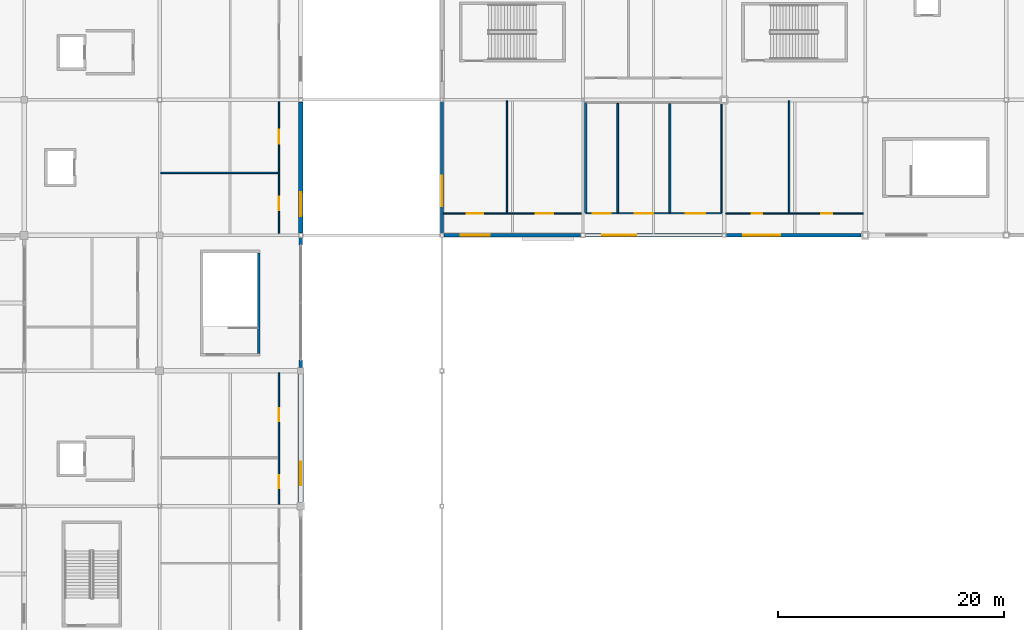
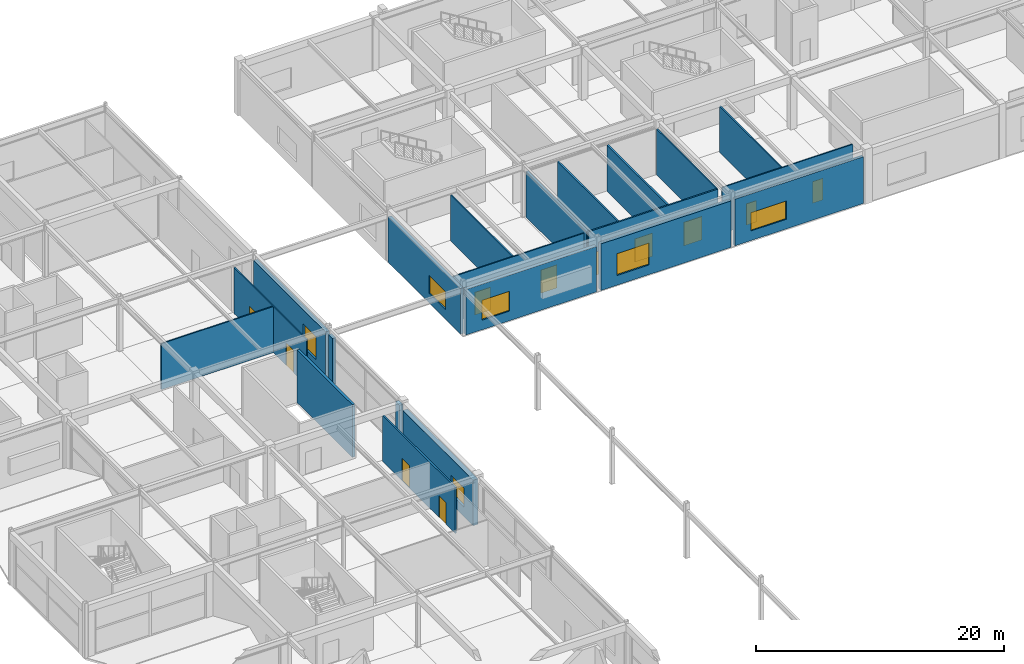
# One storey, part 76 of 105: 21 walls, 11 doors, 6 windows, 17 openings.
"""IFC4 building model written with IfcOpenShell, lengths in metres."""

from ifc_helpers import new_model, si_unit, direction, frame, frame_2d, origin, place, context, subcontext, project, spatial, rectangle, extrude, material, layer, layer_set, type_object, element, fill, save


model = new_model("IFC4")

# Units and contexts
model_context = context("Model", 3, precision=1e-05, world=origin(), true_north=direction((0.0, 1.0)))
body_context = subcontext(model_context, "Body", "Model", "MODEL_VIEW")
ifc_project = project(units=[si_unit("LENGTHUNIT", "METRE"), si_unit("AREAUNIT", "SQUARE_METRE"), si_unit("VOLUMEUNIT", "CUBIC_METRE"), si_unit("PLANEANGLEUNIT", "RADIAN"), si_unit("MASSUNIT", "GRAM", prefix="KILO")], contexts=[model_context])

# Site, building, storey
site_placement = place(None, origin())
site = spatial("IfcSite", under=ifc_project, at=site_placement, CompositionType="ELEMENT")
building_placement = place(site_placement, origin())
building = spatial("IfcBuilding", under=site, at=building_placement, Name="Kazenohara Klinker Stadium", CompositionType="ELEMENT")
storey_placement = place(building_placement, frame((0.0, 0.0, 20.39990234375)))
storey = spatial("IfcBuildingStorey", under=building, at=storey_placement, Name="L04", CompositionType="ELEMENT", Elevation=20.39990234375)

# Wall
ifc_material_1 = material(Name="Concrete C40/50", Category="concrete")
ifc_layer_1 = layer(ifc_material_1, 0.22998046875)
ifc_layer_set_1 = layer_set([ifc_layer_1], Name="Concrete C40/50")
wall_type_1 = type_object("IfcWallType", Name="WAL-CORE-230", PredefinedType="SHEAR", material=ifc_layer_set_1)
wall_1_placement = place(storey_placement, frame((32.764892578125, 121.550048828125, 0.0), z_axis=(0.0, 0.0, 1.0), x_axis=(0.0, 1.0, 0.0)))
element("IfcWall", 1, at=wall_1_placement, inside=storey, type_object=wall_type_1, Name="Stairwell shear wall ST18 L04 East", PredefinedType="SHEAR", context=body_context, shape_type="SweptSolid", body=[
    extrude(rectangle(XDim=8.89990234375, YDim=0.22998046875, at=frame_2d((4.449951171875, 0.0))), origin(), (0.0, 0.0, 1.0), 5.18017578125),
])

# Wall, opening, window
ifc_material_2 = material(Name="Clinker brick masonry", Category="masonry")
ifc_layer_2 = layer(ifc_material_2, 0.280029296875)
ifc_layer_set_2 = layer_set([ifc_layer_2], Name="Clinker brick masonry")
wall_type_2 = type_object("IfcWallType", Name="WAL-EXT-CB280", PredefinedType="SOLIDWALL", material=ifc_layer_set_2)
wall_2_placement = place(storey_placement, frame((49.0, 132.178955078125, 0.0), z_axis=(0.0, 0.0, 1.0), x_axis=(0.0, 1.0, 0.0)))
wall_2 = element("IfcWall", 2, at=wall_2_placement, inside=storey, type_object=wall_type_2, Name="Clinker brick cavity wall EW06 L04 Y4-11", PredefinedType="SOLIDWALL", context=body_context, shape_type="SweptSolid", body=[
    extrude(rectangle(XDim=11.6669921875, YDim=0.280029296875, at=frame_2d((5.83349609375, 0.0))), origin(), (0.0, 0.0, 1.0), 4.47998046875),
])
opening_1_placement = place(wall_2_placement, frame((2.39111328125, 0.0, 0.949951171875)))
opening_1 = element("IfcOpeningElement", 3, at=opening_1_placement, cuts=wall_2, Name="Opening W27", PredefinedType="OPENING", context=body_context, shape_type="SweptSolid", body=[
    extrude(rectangle(XDim=2.699951171875, YDim=1.75, at=frame_2d((1.35009765625, 0.875))), frame((0.0, 0.14990234375, 0.0), z_axis=(0.0, -1.0, 0.0), x_axis=(1.0, 0.0, 0.0)), (0.0, 0.0, 1.0), 0.300048828125),
])
ifc_material_3 = material(Name="Dark bronze aluminium frame and triple glazing", Category="aluminium")
window_type_1 = type_object("IfcWindowType", Name="WIN-AS-27", PartitioningType="SINGLE_PANEL", PredefinedType="WINDOW", material=ifc_material_3)
window_1_placement = place(opening_1_placement, origin())
window_1 = element("IfcWindow", 4, at=window_1_placement, inside=storey, type_object=window_type_1, Name="Horizontal-mullion ladder window W27 L04 Y4-11", OverallHeight=1.75, OverallWidth=2.699951171875, PartitioningType="SINGLE_PANEL", PredefinedType="WINDOW", context=body_context, shape_type="SweptSolid", body=[
    extrude(rectangle(XDim=2.699951171875, YDim=1.75, at=frame_2d((1.35009765625, 0.875))), frame((0.0, 0.030029296875, 0.0), z_axis=(0.0, -1.0, 0.0), x_axis=(1.0, 0.0, 0.0)), (0.0, 0.0, 1.0), 0.06005859375),
])
fill(opening_1, window_1)

wall_3_placement = place(storey_placement, frame((74.178955078125, 132.0, 0.0), z_axis=(0.0, 0.0, 1.0), x_axis=(1.0, 0.0, 0.0)))
wall_3 = element("IfcWall", 5, at=wall_3_placement, inside=storey, type_object=wall_type_2, Name="Clinker brick cavity wall EW06 L04 X6-11", PredefinedType="SOLIDWALL", context=body_context, shape_type="SweptSolid", body=[
    extrude(rectangle(XDim=11.967041015625, YDim=0.280029296875, at=frame_2d((5.9833984375, 0.0))), origin(), (0.0, 0.0, 1.0), 4.592041015625),
])
opening_2_placement = place(wall_3_placement, frame((1.5, 0.0, 0.949951171875)))
opening_2 = element("IfcOpeningElement", 6, at=opening_2_placement, cuts=wall_3, Name="Opening W33", PredefinedType="OPENING", context=body_context, shape_type="SweptSolid", body=[
    extrude(rectangle(XDim=3.300048828125, YDim=1.800048828125, at=frame_2d((1.64990234375, 0.89990234375))), frame((0.0, 0.14990234375, 0.0), z_axis=(0.0, -1.0, 0.0), x_axis=(1.0, 0.0, 0.0)), (0.0, 0.0, 1.0), 0.300048828125),
])
window_type_2 = type_object("IfcWindowType", Name="WIN-AS-33", PartitioningType="SINGLE_PANEL", PredefinedType="WINDOW", material=ifc_material_3)
window_2_placement = place(opening_2_placement, origin())
window_2 = element("IfcWindow", 7, at=window_2_placement, inside=storey, type_object=window_type_2, Name="Horizontal-mullion ladder window W33 L04 X6-11", OverallHeight=1.800048828125, OverallWidth=3.300048828125, PartitioningType="SINGLE_PANEL", PredefinedType="WINDOW", context=body_context, shape_type="SweptSolid", body=[
    extrude(rectangle(XDim=3.300048828125, YDim=1.800048828125, at=frame_2d((1.64990234375, 0.89990234375))), frame((0.0, 0.030029296875, 0.0), z_axis=(0.0, -1.0, 0.0), x_axis=(1.0, 0.0, 0.0)), (0.0, 0.0, 1.0), 0.06005859375),
])
fill(opening_2, window_2)

# Walls
ifc_layer_3 = layer(ifc_material_2, 0.31005859375)
ifc_layer_set_3 = layer_set([ifc_layer_3], Name="Clinker brick masonry")
wall_type_3 = type_object("IfcWallType", Name="WAL-EXT-CB310", PredefinedType="SOLIDWALL", material=ifc_layer_set_3)
wall_4_placement = place(storey_placement, frame((36.5, 120.303955078125, 0.0), z_axis=(0.0, 0.0, 1.0), x_axis=(0.0, 1.0, 0.0)))
element("IfcWall", 8, at=wall_4_placement, inside=storey, type_object=wall_type_3, Name="Clinker brick curtain-wall jamb pier L04 Y3-10 A", PredefinedType="SOLIDWALL", context=body_context, shape_type="SweptSolid", body=[
    extrude(rectangle(XDim=0.650146484375, YDim=0.31005859375, at=frame_2d((0.3251953125, 0.0))), origin(), (0.0, 0.0, 1.0), 4.580078125),
])
wall_5_placement = place(storey_placement, frame((36.5, 131.14599609375, 0.0), z_axis=(0.0, 0.0, 1.0), x_axis=(0.0, 1.0, 0.0)))
element("IfcWall", 9, at=wall_5_placement, inside=storey, type_object=wall_type_3, Name="Clinker brick curtain-wall jamb pier L04 Y3-10 B", PredefinedType="SOLIDWALL", context=body_context, shape_type="SweptSolid", body=[
    extrude(rectangle(XDim=0.64990234375, YDim=0.31005859375, at=frame_2d((0.324951171875, 0.0))), origin(), (0.0, 0.0, 1.0), 4.580078125),
])

# Wall, opening, window
wall_6_placement = place(storey_placement, frame((49.178955078125, 132.0, 0.0), z_axis=(0.0, 0.0, 1.0), x_axis=(1.0, 0.0, 0.0)))
wall_6 = element("IfcWall", 10, at=wall_6_placement, inside=storey, type_object=wall_type_3, Name="Clinker brick cavity wall EW05 L04 X4-11", PredefinedType="SOLIDWALL", context=body_context, shape_type="SweptSolid", body=[
    extrude(rectangle(XDim=12.116943359375, YDim=0.31005859375, at=frame_2d((6.05859375, 0.0))), origin(), (0.0, 0.0, 1.0), 4.47998046875),
])
opening_3_placement = place(wall_6_placement, frame((1.5, 0.0, 0.949951171875)))
opening_3 = element("IfcOpeningElement", 11, at=opening_3_placement, cuts=wall_6, Name="Opening W26", PredefinedType="OPENING", context=body_context, shape_type="SweptSolid", body=[
    extrude(rectangle(XDim=2.550048828125, YDim=1.949951171875, at=frame_2d((1.27490234375, 0.97509765625))), frame((0.0, 0.1650390625, 0.0), z_axis=(0.0, -1.0, 0.0), x_axis=(1.0, 0.0, 0.0)), (0.0, 0.0, 1.0), 0.330078125),
])
window_type_3 = type_object("IfcWindowType", Name="WIN-AS-26", PartitioningType="SINGLE_PANEL", PredefinedType="WINDOW", material=ifc_material_3)
window_3_placement = place(opening_3_placement, origin())
window_3 = element("IfcWindow", 12, at=window_3_placement, inside=storey, type_object=window_type_3, Name="Horizontal-mullion ladder window W26 L04 X4-11", OverallHeight=1.949951171875, OverallWidth=2.550048828125, PartitioningType="SINGLE_PANEL", PredefinedType="WINDOW", context=body_context, shape_type="SweptSolid", body=[
    extrude(rectangle(XDim=2.550048828125, YDim=1.949951171875, at=frame_2d((1.27490234375, 0.97509765625))), frame((0.0, 0.030029296875, 0.0), z_axis=(0.0, -1.0, 0.0), x_axis=(1.0, 0.0, 0.0)), (0.0, 0.0, 1.0), 0.06005859375),
])
fill(opening_3, window_3)

ifc_layer_4 = layer(ifc_material_2, 0.340087890625)
ifc_layer_set_4 = layer_set([ifc_layer_4], Name="Clinker brick masonry")
wall_type_4 = type_object("IfcWallType", Name="WAL-EXT-CB340", PredefinedType="SOLIDWALL", material=ifc_layer_set_4)
wall_7_placement = place(storey_placement, frame((61.7041015625, 132.0, 0.0), z_axis=(0.0, 0.0, 1.0), x_axis=(1.0, 0.0, 0.0)))
wall_7 = element("IfcWall", 13, at=wall_7_placement, inside=storey, type_object=wall_type_4, Name="Clinker brick cavity wall EW04 L04 X5-11", PredefinedType="SOLIDWALL", context=body_context, shape_type="SweptSolid", body=[
    extrude(rectangle(XDim=12.116943359375, YDim=0.340087890625, at=frame_2d((6.05859375, 0.0))), origin(), (0.0, 0.0, 1.0), 4.580078125),
])
opening_4_placement = place(wall_7_placement, frame((1.5, 0.0, 0.949951171875)))
opening_4 = element("IfcOpeningElement", 14, at=opening_4_placement, cuts=wall_7, Name="Opening W31", PredefinedType="OPENING", context=body_context, shape_type="SweptSolid", body=[
    extrude(rectangle(XDim=3.0, YDim=2.14990234375, at=frame_2d((1.5, 1.074951171875))), frame((0.0, 0.18017578125, 0.0), z_axis=(0.0, -1.0, 0.0), x_axis=(1.0, 0.0, 0.0)), (0.0, 0.0, 1.0), 0.360107421875),
])
window_type_4 = type_object("IfcWindowType", Name="WIN-AS-31", PartitioningType="SINGLE_PANEL", PredefinedType="WINDOW", material=ifc_material_3)
window_4_placement = place(opening_4_placement, origin())
window_4 = element("IfcWindow", 15, at=window_4_placement, inside=storey, type_object=window_type_4, Name="Horizontal-mullion ladder window W31 L04 X5-11", OverallHeight=2.14990234375, OverallWidth=3.0, PartitioningType="SINGLE_PANEL", PredefinedType="WINDOW", context=body_context, shape_type="SweptSolid", body=[
    extrude(rectangle(XDim=3.0, YDim=2.14990234375, at=frame_2d((1.5, 1.074951171875))), frame((0.0, 0.030029296875, 0.0), z_axis=(0.0, -1.0, 0.0), x_axis=(1.0, 0.0, 0.0)), (0.0, 0.0, 1.0), 0.06005859375),
])
fill(opening_4, window_4)

ifc_layer_5 = layer(ifc_material_2, 0.3701171875)
ifc_layer_set_5 = layer_set([ifc_layer_5], Name="Clinker brick masonry")
wall_type_5 = type_object("IfcWallType", Name="WAL-EXT-CB370", PredefinedType="SOLIDWALL", material=ifc_layer_set_5)
wall_8_placement = place(storey_placement, frame((36.5, 132.2041015625, 0.0), z_axis=(0.0, 0.0, 1.0), x_axis=(0.0, 1.0, 0.0)))
wall_8 = element("IfcWall", 16, at=wall_8_placement, inside=storey, type_object=wall_type_5, Name="Clinker brick cavity wall EW03 L04 Y3-11", PredefinedType="SOLIDWALL", context=body_context, shape_type="SweptSolid", body=[
    extrude(rectangle(XDim=11.616943359375, YDim=0.3701171875, at=frame_2d((5.80859375, 0.0))), origin(), (0.0, 0.0, 1.0), 4.592041015625),
])
opening_5_placement = place(wall_8_placement, frame((1.5, 0.0, 0.949951171875)))
opening_5 = element("IfcOpeningElement", 17, at=opening_5_placement, cuts=wall_8, Name="Opening W19", PredefinedType="OPENING", context=body_context, shape_type="SweptSolid", body=[
    extrude(rectangle(XDim=2.10009765625, YDim=2.25, at=frame_2d((1.050048828125, 1.125))), frame((0.0, 0.195068359375, 0.0), z_axis=(0.0, -1.0, 0.0), x_axis=(1.0, 0.0, 0.0)), (0.0, 0.0, 1.0), 0.39013671875),
])
window_type_5 = type_object("IfcWindowType", Name="WIN-AS-19", PartitioningType="SINGLE_PANEL", PredefinedType="WINDOW", material=ifc_material_3)
window_5_placement = place(opening_5_placement, origin())
window_5 = element("IfcWindow", 18, at=window_5_placement, inside=storey, type_object=window_type_5, Name="Horizontal-mullion ladder window W19 L04 Y3-11", OverallHeight=2.25, OverallWidth=2.10009765625, PartitioningType="SINGLE_PANEL", PredefinedType="WINDOW", context=body_context, shape_type="SweptSolid", body=[
    extrude(rectangle(XDim=2.10009765625, YDim=2.25, at=frame_2d((1.050048828125, 1.125))), frame((0.0, 0.030029296875, 0.0), z_axis=(0.0, -1.0, 0.0), x_axis=(1.0, 0.0, 0.0)), (0.0, 0.0, 1.0), 0.06005859375),
])
fill(opening_5, window_5)

ifc_layer_6 = layer(ifc_material_2, 0.449951171875)
ifc_layer_set_6 = layer_set([ifc_layer_6], Name="Clinker brick masonry")
wall_type_6 = type_object("IfcWallType", Name="WAL-EXT-CB450", PredefinedType="SOLIDWALL", material=ifc_layer_set_6)
wall_9_placement = place(storey_placement, frame((36.5, 108.35400390625, 0.0), z_axis=(0.0, 0.0, 1.0), x_axis=(0.0, 1.0, 0.0)))
wall_9 = element("IfcWall", 19, at=wall_9_placement, inside=storey, type_object=wall_type_6, Name="Clinker brick cavity wall EW01 L04 Y3-9", PredefinedType="SOLIDWALL", context=body_context, shape_type="SweptSolid", body=[
    extrude(rectangle(XDim=11.342041015625, YDim=0.449951171875, at=frame_2d((5.6708984375, 0.0))), origin(), (0.0, 0.0, 1.0), 4.47998046875),
])
opening_6_placement = place(wall_9_placement, frame((1.5, 0.0, 0.949951171875)))
opening_6 = element("IfcOpeningElement", 20, at=opening_6_placement, cuts=wall_9, Name="Opening W18", PredefinedType="OPENING", context=body_context, shape_type="SweptSolid", body=[
    extrude(rectangle(XDim=2.10009765625, YDim=1.85009765625, at=frame_2d((1.050048828125, 0.925048828125))), frame((0.0, 0.23486328125, 0.0), z_axis=(0.0, -1.0, 0.0), x_axis=(1.0, 0.0, 0.0)), (0.0, 0.0, 1.0), 0.469970703125),
])
window_type_6 = type_object("IfcWindowType", Name="WIN-AS-18", PartitioningType="SINGLE_PANEL", PredefinedType="WINDOW", material=ifc_material_3)
window_6_placement = place(opening_6_placement, origin())
window_6 = element("IfcWindow", 21, at=window_6_placement, inside=storey, type_object=window_type_6, Name="Horizontal-mullion ladder window W18 L04 Y3-9", OverallHeight=1.85009765625, OverallWidth=2.10009765625, PartitioningType="SINGLE_PANEL", PredefinedType="WINDOW", context=body_context, shape_type="SweptSolid", body=[
    extrude(rectangle(XDim=2.10009765625, YDim=1.85009765625, at=frame_2d((1.050048828125, 0.925048828125))), frame((0.0, 0.030029296875, 0.0), z_axis=(0.0, -1.0, 0.0), x_axis=(1.0, 0.0, 0.0)), (0.0, 0.0, 1.0), 0.06005859375),
])
fill(opening_6, window_6)

# Wall, openings, doors
ifc_material_4 = material(Name="Fire-rated gypsum board on acoustic studs", Category="gypsum")
ifc_layer_7 = layer(ifc_material_4, 0.110107421875)
ifc_layer_set_7 = layer_set([ifc_layer_7], Name="Fire-rated gypsum board on acoustic studs")
wall_type_7 = type_object("IfcWallType", Name="WAL-INT-P110", PredefinedType="PARTITIONING", material=ifc_layer_set_7)
wall_10_placement = place(storey_placement, frame((34.56005859375, 132.159912109375, 0.0), z_axis=(0.0, 0.0, 1.0), x_axis=(0.0, 1.0, 0.0)))
wall_10 = element("IfcWall", 22, at=wall_10_placement, inside=storey, type_object=wall_type_7, Name="Interior partition wall PT01 SPC-L04-02-11-1-1", PredefinedType="PARTITIONING", context=body_context, shape_type="SweptSolid", body=[
    extrude(rectangle(XDim=11.68017578125, YDim=0.110107421875, at=frame_2d((5.840087890625, 0.0))), origin(), (0.0, 0.0, 1.0), 4.52001953125),
])
opening_7_placement = place(wall_10_placement, frame((2.04150390625, 0.0, 0.0)))
opening_7 = element("IfcOpeningElement", 23, at=opening_7_placement, cuts=wall_10, Name="Opening ID12", PredefinedType="OPENING", context=body_context, shape_type="SweptSolid", body=[
    extrude(rectangle(XDim=1.2099609375, YDim=2.179931640625, at=frame_2d((0.60498046875, 1.08984375))), frame((0.0, 0.06494140625, 0.0), z_axis=(0.0, -1.0, 0.0), x_axis=(1.0, 0.0, 0.0)), (0.0, 0.0, 1.0), 0.130126953125),
])
opening_8_placement = place(wall_10_placement, frame((7.9462890625, 0.0, 0.0)))
opening_8 = element("IfcOpeningElement", 24, at=opening_8_placement, cuts=wall_10, Name="Opening ID13", PredefinedType="OPENING", context=body_context, shape_type="SweptSolid", body=[
    extrude(rectangle(XDim=1.239990234375, YDim=2.219970703125, at=frame_2d((0.6201171875, 1.10986328125))), frame((0.0, 0.06494140625, 0.0), z_axis=(0.0, -1.0, 0.0), x_axis=(1.0, 0.0, 0.0)), (0.0, 0.0, 1.0), 0.130126953125),
])
ifc_material_5 = material(Name="Solid-core Hokkaido oak fire door", Category="wood")
door_type_1 = type_object("IfcDoorType", Name="DR-INT-12", OperationType="NOTDEFINED", PredefinedType="DOOR", material=ifc_material_5)
door_1_placement = place(opening_7_placement, origin())
door_1 = element("IfcDoor", 25, at=door_1_placement, inside=storey, type_object=door_type_1, Name="Interior door ID12 Championship Trophy Exhibition Gallery L04-0211A", OperationType="SINGLE_SWING_LEFT", OverallHeight=2.179931640625, OverallWidth=1.2099609375, PredefinedType="DOOR", context=body_context, shape_type="SweptSolid", body=[
    extrude(rectangle(XDim=1.2099609375, YDim=2.179931640625, at=frame_2d((0.60498046875, 1.08984375))), frame((0.0, 0.02490234375, 0.0), z_axis=(0.0, -1.0, 0.0), x_axis=(1.0, 0.0, 0.0)), (0.0, 0.0, 1.0), 0.050048828125),
])
fill(opening_7, door_1)
door_type_2 = type_object("IfcDoorType", Name="DR-INT-13", OperationType="NOTDEFINED", PredefinedType="DOOR", material=ifc_material_5)
door_2_placement = place(opening_8_placement, origin())
door_2 = element("IfcDoor", 26, at=door_2_placement, inside=storey, type_object=door_type_2, Name="Interior door ID13 Terrace Garden Sky Banquet Hall L04-0211B", OperationType="SINGLE_SWING_RIGHT", OverallHeight=2.219970703125, OverallWidth=1.239990234375, PredefinedType="DOOR", context=body_context, shape_type="SweptSolid", body=[
    extrude(rectangle(XDim=1.239990234375, YDim=2.219970703125, at=frame_2d((0.6201171875, 1.10986328125))), frame((0.0, 0.02490234375, 0.0), z_axis=(0.0, -1.0, 0.0), x_axis=(1.0, 0.0, 0.0)), (0.0, 0.0, 1.0), 0.050048828125),
])
fill(opening_8, door_2)

wall_11_placement = place(storey_placement, frame((49.14208984375, 133.93994140625, 0.0), z_axis=(0.0, 0.0, 1.0), x_axis=(1.0, 0.0, 0.0)))
wall_11 = element("IfcWall", 27, at=wall_11_placement, inside=storey, type_object=wall_type_7, Name="Interior partition wall PT01 SPC-L04-04-11-1-1", PredefinedType="PARTITIONING", context=body_context, shape_type="SweptSolid", body=[
    extrude(rectangle(XDim=12.197998046875, YDim=0.110107421875, at=frame_2d((6.09912109375, 0.0))), origin(), (0.0, 0.0, 1.0), 4.52001953125),
])
opening_9_placement = place(wall_11_placement, frame((2.039306640625, 0.0, 0.0)))
opening_9 = element("IfcOpeningElement", 28, at=opening_9_placement, cuts=wall_11, Name="Opening ID20", PredefinedType="OPENING", context=body_context, shape_type="SweptSolid", body=[
    extrude(rectangle(XDim=1.47998046875, YDim=2.239990234375, at=frame_2d((0.739990234375, 1.1201171875))), frame((0.0, 0.06494140625, 0.0), z_axis=(0.0, -1.0, 0.0), x_axis=(1.0, 0.0, 0.0)), (0.0, 0.0, 1.0), 0.130126953125),
])
opening_10_placement = place(wall_11_placement, frame((8.189453125, 0.0, 0.0)))
opening_10 = element("IfcOpeningElement", 29, at=opening_10_placement, cuts=wall_11, Name="Opening ID21", PredefinedType="OPENING", context=body_context, shape_type="SweptSolid", body=[
    extrude(rectangle(XDim=1.52001953125, YDim=2.280029296875, at=frame_2d((0.760009765625, 1.14013671875))), frame((0.0, 0.06494140625, 0.0), z_axis=(0.0, -1.0, 0.0), x_axis=(1.0, 0.0, 0.0)), (0.0, 0.0, 1.0), 0.130126953125),
])
ifc_material_6 = material(Name="Painted steel plant fire door", Category="steel")
door_type_3 = type_object("IfcDoorType", Name="DR-INT-20", OperationType="NOTDEFINED", PredefinedType="DOOR", material=ifc_material_6)
door_3_placement = place(opening_9_placement, origin())
door_3 = element("IfcDoor", 30, at=door_3_placement, inside=storey, type_object=door_type_3, Name="Interior door ID20 Terrace Garden Sky Banquet Hall L04-0411A", OperationType="SINGLE_SWING_LEFT", OverallHeight=2.239990234375, OverallWidth=1.47998046875, PredefinedType="DOOR", context=body_context, shape_type="SweptSolid", body=[
    extrude(rectangle(XDim=1.47998046875, YDim=2.239990234375, at=frame_2d((0.739990234375, 1.1201171875))), frame((0.0, 0.02490234375, 0.0), z_axis=(0.0, -1.0, 0.0), x_axis=(1.0, 0.0, 0.0)), (0.0, 0.0, 1.0), 0.050048828125),
])
fill(opening_9, door_3)
door_type_4 = type_object("IfcDoorType", Name="DR-INT-21", OperationType="NOTDEFINED", PredefinedType="DOOR", material=ifc_material_6)
door_4_placement = place(opening_10_placement, origin())
door_4 = element("IfcDoor", 31, at=door_4_placement, inside=storey, type_object=door_type_4, Name="Interior door ID21 Executive Club Dining Suite L04-0411B", OperationType="SINGLE_SWING_RIGHT", OverallHeight=2.280029296875, OverallWidth=1.52001953125, PredefinedType="DOOR", context=body_context, shape_type="SweptSolid", body=[
    extrude(rectangle(XDim=1.52001953125, YDim=2.280029296875, at=frame_2d((0.760009765625, 1.14013671875))), frame((0.0, 0.02490234375, 0.0), z_axis=(0.0, -1.0, 0.0), x_axis=(1.0, 0.0, 0.0)), (0.0, 0.0, 1.0), 0.050048828125),
])
fill(opening_10, door_4)

# Wall
wall_12_placement = place(storey_placement, frame((73.760009765625, 134.014892578125, 0.0), z_axis=(0.0, 0.0, 1.0), x_axis=(0.0, 1.0, 0.0)))
element("IfcWall", 32, at=wall_12_placement, inside=storey, type_object=wall_type_7, Name="Interior partition wall PT01 SPC-L04-05-11-1-2", PredefinedType="PARTITIONING", context=body_context, shape_type="SweptSolid", body=[
    extrude(rectangle(XDim=9.631103515625, YDim=0.110107421875, at=frame_2d((4.8154296875, 0.0))), origin(), (0.0, 0.0, 1.0), 4.52001953125),
])

# Wall, openings, doors
wall_13_placement = place(storey_placement, frame((74.159912109375, 133.93994140625, 0.0), z_axis=(0.0, 0.0, 1.0), x_axis=(1.0, 0.0, 0.0)))
wall_13 = element("IfcWall", 33, at=wall_13_placement, inside=storey, type_object=wall_type_7, Name="Interior partition wall PT01 SPC-L04-06-11-1-1", PredefinedType="PARTITIONING", context=body_context, shape_type="SweptSolid", body=[
    extrude(rectangle(XDim=12.18017578125, YDim=0.110107421875, at=frame_2d((6.090087890625, 0.0))), origin(), (0.0, 0.0, 1.0), 4.52001953125),
])
opening_11_placement = place(wall_13_placement, frame((2.301513671875, 0.0, 0.0)))
opening_11 = element("IfcOpeningElement", 34, at=opening_11_placement, cuts=wall_13, Name="Opening ID02", PredefinedType="OPENING", context=body_context, shape_type="SweptSolid", body=[
    extrude(rectangle(XDim=0.919921875, YDim=2.10009765625, at=frame_2d((0.4599609375, 1.050048828125))), frame((0.0, 0.06494140625, 0.0), z_axis=(0.0, -1.0, 0.0), x_axis=(1.0, 0.0, 0.0)), (0.0, 0.0, 1.0), 0.130126953125),
])
opening_12_placement = place(wall_13_placement, frame((8.456298828125, 0.0, 0.0)))
opening_12 = element("IfcOpeningElement", 35, at=opening_12_placement, cuts=wall_13, Name="Opening ID03", PredefinedType="OPENING", context=body_context, shape_type="SweptSolid", body=[
    extrude(rectangle(XDim=0.949951171875, YDim=2.1201171875, at=frame_2d((0.47509765625, 1.06005859375))), frame((0.0, 0.06494140625, 0.0), z_axis=(0.0, -1.0, 0.0), x_axis=(1.0, 0.0, 0.0)), (0.0, 0.0, 1.0), 0.130126953125),
])
door_type_5 = type_object("IfcDoorType", Name="DR-INT-02", OperationType="NOTDEFINED", PredefinedType="DOOR", material=ifc_material_5)
door_5_placement = place(opening_11_placement, origin())
door_5 = element("IfcDoor", 36, at=door_5_placement, inside=storey, type_object=door_type_5, Name="Interior door ID02 Executive Club Dining Suite L04-0611A", OperationType="SINGLE_SWING_LEFT", OverallHeight=2.10009765625, OverallWidth=0.919921875, PredefinedType="DOOR", context=body_context, shape_type="SweptSolid", body=[
    extrude(rectangle(XDim=0.919921875, YDim=2.10009765625, at=frame_2d((0.4599609375, 1.050048828125))), frame((0.0, 0.02490234375, 0.0), z_axis=(0.0, -1.0, 0.0), x_axis=(1.0, 0.0, 0.0)), (0.0, 0.0, 1.0), 0.050048828125),
])
fill(opening_11, door_5)
door_type_6 = type_object("IfcDoorType", Name="DR-INT-03", OperationType="NOTDEFINED", PredefinedType="DOOR", material=ifc_material_5)
door_6_placement = place(opening_12_placement, origin())
door_6 = element("IfcDoor", 37, at=door_6_placement, inside=storey, type_object=door_type_6, Name="Interior door ID03 Roof Garden Culinary Catering Kitchen L04-0611B", OperationType="SINGLE_SWING_RIGHT", OverallHeight=2.1201171875, OverallWidth=0.949951171875, PredefinedType="DOOR", context=body_context, shape_type="SweptSolid", body=[
    extrude(rectangle(XDim=0.949951171875, YDim=2.1201171875, at=frame_2d((0.47509765625, 1.06005859375))), frame((0.0, 0.02490234375, 0.0), z_axis=(0.0, -1.0, 0.0), x_axis=(1.0, 0.0, 0.0)), (0.0, 0.0, 1.0), 0.050048828125),
])
fill(opening_12, door_6)

# Walls
ifc_layer_8 = layer(ifc_material_4, 0.1201171875)
ifc_layer_set_8 = layer_set([ifc_layer_8], Name="Fire-rated gypsum board on acoustic studs")
wall_type_8 = type_object("IfcWallType", Name="WAL-INT-P120", PredefinedType="PARTITIONING", material=ifc_layer_set_8)
wall_14_placement = place(storey_placement, frame((24.080078125, 137.53271484375, 0.0), z_axis=(0.0, 0.0, 1.0), x_axis=(1.0, 0.0, 0.0)))
element("IfcWall", 38, at=wall_14_placement, inside=storey, type_object=wall_type_8, Name="Interior partition wall PT02 SPC-L04-02-11-1-2", PredefinedType="PARTITIONING", context=body_context, shape_type="SweptSolid", body=[
    extrude(rectangle(XDim=10.419921875, YDim=0.1201171875, at=frame_2d((5.2099609375, 0.0))), origin(), (0.0, 0.0, 1.0), 4.52001953125),
])
for number, where, z_axis, x_axis, name in (
    (39, (54.7626953125, 134.0, 0.0), (0.0, 0.0, 1.0), (0.0, 1.0, 0.0), "Interior partition wall PT02 SPC-L04-04-11-1-2"),
    (40, (79.7626953125, 134.0, 0.0), (0.0, 0.0, 1.0), (0.0, 1.0, 0.0), "Interior partition wall PT02 SPC-L04-06-11-1-2"),
):
    element("IfcWall", number, at=place(storey_placement, frame(where, z_axis=z_axis, x_axis=x_axis)), inside=storey, type_object=wall_type_8, Name=name, PredefinedType="PARTITIONING", context=body_context, shape_type="SweptSolid", body=[
        extrude(rectangle(XDim=9.919921875, YDim=0.1201171875, at=frame_2d((4.9599609375, 0.0))), origin(), (0.0, 0.0, 1.0), 4.52001953125),
    ])

# Wall, openings, doors
ifc_layer_9 = layer(ifc_material_4, 0.139892578125)
ifc_layer_set_9 = layer_set([ifc_layer_9], Name="Fire-rated gypsum board on acoustic studs")
wall_type_9 = type_object("IfcWallType", Name="WAL-INT-P140", PredefinedType="PARTITIONING", material=ifc_layer_set_9)
wall_15_placement = place(storey_placement, frame((61.739990234375, 133.93994140625, 0.0), z_axis=(0.0, 0.0, 1.0), x_axis=(1.0, 0.0, 0.0)))
wall_15 = element("IfcWall", 41, at=wall_15_placement, inside=storey, type_object=wall_type_9, Name="Interior partition wall PT03 SPC-L04-05-11-1-4", PredefinedType="PARTITIONING", context=body_context, shape_type="SweptSolid", body=[
    extrude(rectangle(XDim=12.02001953125, YDim=0.139892578125, at=frame_2d((6.010009765625, 0.0))), origin(), (0.0, 0.0, 1.0), 4.52001953125),
])
opening_13_placement = place(wall_15_placement, frame((0.631103515625, 0.0, 0.0)))
opening_13 = element("IfcOpeningElement", 42, at=opening_13_placement, cuts=wall_15, Name="Opening ID23", PredefinedType="OPENING", context=body_context, shape_type="SweptSolid", body=[
    extrude(rectangle(XDim=1.60009765625, YDim=2.300048828125, at=frame_2d((0.800048828125, 1.14990234375))), frame((0.0, 0.080078125, 0.0), z_axis=(0.0, -1.0, 0.0), x_axis=(1.0, 0.0, 0.0)), (0.0, 0.0, 1.0), 0.159912109375),
])
opening_14_placement = place(wall_15_placement, frame((4.32666015625, 0.0, 0.0)))
opening_14 = element("IfcOpeningElement", 43, at=opening_14_placement, cuts=wall_15, Name="Opening ID24", PredefinedType="OPENING", context=body_context, shape_type="SweptSolid", body=[
    extrude(rectangle(XDim=1.64990234375, YDim=2.280029296875, at=frame_2d((0.824951171875, 1.14013671875))), frame((0.0, 0.080078125, 0.0), z_axis=(0.0, -1.0, 0.0), x_axis=(1.0, 0.0, 0.0)), (0.0, 0.0, 1.0), 0.159912109375),
])
opening_15_placement = place(wall_15_placement, frame((8.880615234375, 0.0, 0.0)))
opening_15 = element("IfcOpeningElement", 44, at=opening_15_placement, cuts=wall_15, Name="Opening ID25", PredefinedType="OPENING", context=body_context, shape_type="SweptSolid", body=[
    extrude(rectangle(XDim=1.699951171875, YDim=2.320068359375, at=frame_2d((0.85009765625, 1.16015625))), frame((0.0, 0.080078125, 0.0), z_axis=(0.0, -1.0, 0.0), x_axis=(1.0, 0.0, 0.0)), (0.0, 0.0, 1.0), 0.159912109375),
])
door_type_7 = type_object("IfcDoorType", Name="DR-INT-23", OperationType="NOTDEFINED", PredefinedType="DOOR", material=ifc_material_6)
door_7_placement = place(opening_13_placement, origin())
door_7 = element("IfcDoor", 45, at=door_7_placement, inside=storey, type_object=door_type_7, Name="Interior door ID23 Accessible Water Closet Restroom L04-0511A", OperationType="SINGLE_SWING_RIGHT", OverallHeight=2.300048828125, OverallWidth=1.60009765625, PredefinedType="DOOR", context=body_context, shape_type="SweptSolid", body=[
    extrude(rectangle(XDim=1.60009765625, YDim=2.300048828125, at=frame_2d((0.800048828125, 1.14990234375))), frame((0.0, 0.02490234375, 0.0), z_axis=(0.0, -1.0, 0.0), x_axis=(1.0, 0.0, 0.0)), (0.0, 0.0, 1.0), 0.050048828125),
])
fill(opening_13, door_7)
door_type_8 = type_object("IfcDoorType", Name="DR-INT-24", OperationType="NOTDEFINED", PredefinedType="DOOR", material=ifc_material_6)
door_8_placement = place(opening_14_placement, origin())
door_8 = element("IfcDoor", 46, at=door_8_placement, inside=storey, type_object=door_type_8, Name="Interior door ID24 Water Closet Restroom Male L04-0511B", OperationType="SINGLE_SWING_LEFT", OverallHeight=2.280029296875, OverallWidth=1.64990234375, PredefinedType="DOOR", context=body_context, shape_type="SweptSolid", body=[
    extrude(rectangle(XDim=1.64990234375, YDim=2.280029296875, at=frame_2d((0.824951171875, 1.14013671875))), frame((0.0, 0.02490234375, 0.0), z_axis=(0.0, -1.0, 0.0), x_axis=(1.0, 0.0, 0.0)), (0.0, 0.0, 1.0), 0.050048828125),
])
fill(opening_14, door_8)
door_type_9 = type_object("IfcDoorType", Name="DR-INT-25", OperationType="NOTDEFINED", PredefinedType="DOOR", material=ifc_material_6)
door_9_placement = place(opening_15_placement, origin())
door_9 = element("IfcDoor", 47, at=door_9_placement, inside=storey, type_object=door_type_9, Name="Interior door ID25 Water Closet Restroom Female L04-0511C", OperationType="SINGLE_SWING_RIGHT", OverallHeight=2.320068359375, OverallWidth=1.699951171875, PredefinedType="DOOR", context=body_context, shape_type="SweptSolid", body=[
    extrude(rectangle(XDim=1.699951171875, YDim=2.320068359375, at=frame_2d((0.85009765625, 1.16015625))), frame((0.0, 0.02490234375, 0.0), z_axis=(0.0, -1.0, 0.0), x_axis=(1.0, 0.0, 0.0)), (0.0, 0.0, 1.0), 0.050048828125),
])
fill(opening_15, door_9)

ifc_layer_10 = layer(ifc_material_4, 0.14990234375)
ifc_layer_set_10 = layer_set([ifc_layer_10], Name="Fire-rated gypsum board on acoustic studs")
wall_type_10 = type_object("IfcWallType", Name="WAL-INT-P150", PredefinedType="PARTITIONING", material=ifc_layer_set_10)
wall_16_placement = place(storey_placement, frame((34.56005859375, 108.159912109375, 0.0), z_axis=(0.0, 0.0, 1.0), x_axis=(0.0, 1.0, 0.0)))
wall_16 = element("IfcWall", 48, at=wall_16_placement, inside=storey, type_object=wall_type_10, Name="Interior partition wall PT04 SPC-L04-02-09-1-1", PredefinedType="PARTITIONING", context=body_context, shape_type="SweptSolid", body=[
    extrude(rectangle(XDim=11.68017578125, YDim=0.14990234375, at=frame_2d((5.840087890625, 0.0))), origin(), (0.0, 0.0, 1.0), 4.52001953125),
])
opening_16_placement = place(wall_16_placement, frame((1.452392578125, 0.0, 0.0)))
opening_16 = element("IfcOpeningElement", 49, at=opening_16_placement, cuts=wall_16, Name="Opening ID10", PredefinedType="OPENING", context=body_context, shape_type="SweptSolid", body=[
    extrude(rectangle(XDim=1.14990234375, YDim=2.14990234375, at=frame_2d((0.574951171875, 1.074951171875))), frame((0.0, 0.0849609375, 0.0), z_axis=(0.0, -1.0, 0.0), x_axis=(1.0, 0.0, 0.0)), (0.0, 0.0, 1.0), 0.169921875),
])
opening_17_placement = place(wall_16_placement, frame((7.357421875, 0.0, 0.0)))
opening_17 = element("IfcOpeningElement", 50, at=opening_17_placement, cuts=wall_16, Name="Opening ID11", PredefinedType="OPENING", context=body_context, shape_type="SweptSolid", body=[
    extrude(rectangle(XDim=1.179931640625, YDim=2.199951171875, at=frame_2d((0.58984375, 1.10009765625))), frame((0.0, 0.0849609375, 0.0), z_axis=(0.0, -1.0, 0.0), x_axis=(1.0, 0.0, 0.0)), (0.0, 0.0, 1.0), 0.169921875),
])
door_type_10 = type_object("IfcDoorType", Name="DR-INT-10", OperationType="NOTDEFINED", PredefinedType="DOOR", material=ifc_material_5)
door_10_placement = place(opening_16_placement, origin())
door_10 = element("IfcDoor", 51, at=door_10_placement, inside=storey, type_object=door_type_10, Name="Interior door ID10 Winter-Garden Conservatory Tearoom L04-0209A", OperationType="SINGLE_SWING_LEFT", OverallHeight=2.14990234375, OverallWidth=1.14990234375, PredefinedType="DOOR", context=body_context, shape_type="SweptSolid", body=[
    extrude(rectangle(XDim=1.14990234375, YDim=2.14990234375, at=frame_2d((0.574951171875, 1.074951171875))), frame((0.0, 0.02490234375, 0.0), z_axis=(0.0, -1.0, 0.0), x_axis=(1.0, 0.0, 0.0)), (0.0, 0.0, 1.0), 0.050048828125),
])
fill(opening_16, door_10)
door_type_11 = type_object("IfcDoorType", Name="DR-INT-11", OperationType="NOTDEFINED", PredefinedType="DOOR", material=ifc_material_5)
door_11_placement = place(opening_17_placement, origin())
door_11 = element("IfcDoor", 52, at=door_11_placement, inside=storey, type_object=door_type_11, Name="Interior door ID11 Terrace Garden Sky Banquet Hall L04-0209B", OperationType="SINGLE_SWING_RIGHT", OverallHeight=2.199951171875, OverallWidth=1.179931640625, PredefinedType="DOOR", context=body_context, shape_type="SweptSolid", body=[
    extrude(rectangle(XDim=1.179931640625, YDim=2.199951171875, at=frame_2d((0.58984375, 1.10009765625))), frame((0.0, 0.02490234375, 0.0), z_axis=(0.0, -1.0, 0.0), x_axis=(1.0, 0.0, 0.0)), (0.0, 0.0, 1.0), 0.050048828125),
])
fill(opening_17, door_11)

# Walls
wall_17_placement = place(storey_placement, frame((64.582275390625, 134.014892578125, 0.0), z_axis=(0.0, 0.0, 1.0), x_axis=(0.0, 1.0, 0.0)))
element("IfcWall", 53, at=wall_17_placement, inside=storey, type_object=wall_type_10, Name="Interior partition wall PT04 SPC-L04-05-11-1-5", PredefinedType="PARTITIONING", context=body_context, shape_type="SweptSolid", body=[
    extrude(rectangle(XDim=9.68017578125, YDim=0.14990234375, at=frame_2d((4.840087890625, 0.0))), origin(), (0.0, 0.0, 1.0), 4.52001953125),
])
ifc_layer_11 = layer(ifc_material_4, 0.169921875)
ifc_layer_set_11 = layer_set([ifc_layer_11], Name="Fire-rated gypsum board on acoustic studs")
wall_type_11 = type_object("IfcWallType", Name="WAL-INT-P170", PredefinedType="PARTITIONING", material=ifc_layer_set_11)
wall_18_placement = place(storey_placement, frame((69.201171875, 134.014892578125, 0.0), z_axis=(0.0, 0.0, 1.0), x_axis=(0.0, 1.0, 0.0)))
element("IfcWall", 54, at=wall_18_placement, inside=storey, type_object=wall_type_11, Name="Interior partition wall PT05 SPC-L04-05-11-1-6", PredefinedType="PARTITIONING", context=body_context, shape_type="SweptSolid", body=[
    extrude(rectangle(XDim=9.68017578125, YDim=0.169921875, at=frame_2d((4.840087890625, 0.0))), origin(), (0.0, 0.0, 1.0), 4.52001953125),
])
ifc_layer_12 = layer(ifc_material_4, 0.18994140625)
ifc_layer_set_12 = layer_set([ifc_layer_12], Name="Fire-rated gypsum board on acoustic studs")
wall_type_12 = type_object("IfcWallType", Name="WAL-INT-P190", PredefinedType="PARTITIONING", material=ifc_layer_set_12)
wall_19_placement = place(storey_placement, frame((61.739990234375, 134.014892578125, 0.0), z_axis=(0.0, 0.0, 1.0), x_axis=(0.0, 1.0, 0.0)))
element("IfcWall", 55, at=wall_19_placement, inside=storey, type_object=wall_type_12, Name="Interior partition wall PT06 SPC-L04-05-11-1-1", PredefinedType="PARTITIONING", context=body_context, shape_type="SweptSolid", body=[
    extrude(rectangle(XDim=9.7451171875, YDim=0.18994140625, at=frame_2d((4.87255859375, 0.0))), origin(), (0.0, 0.0, 1.0), 4.52001953125),
])

save(model, "model.ifc")
